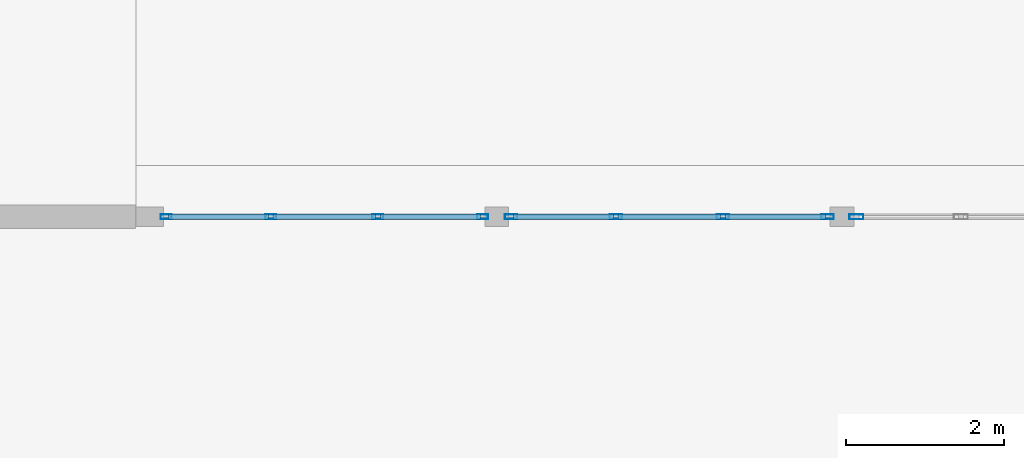
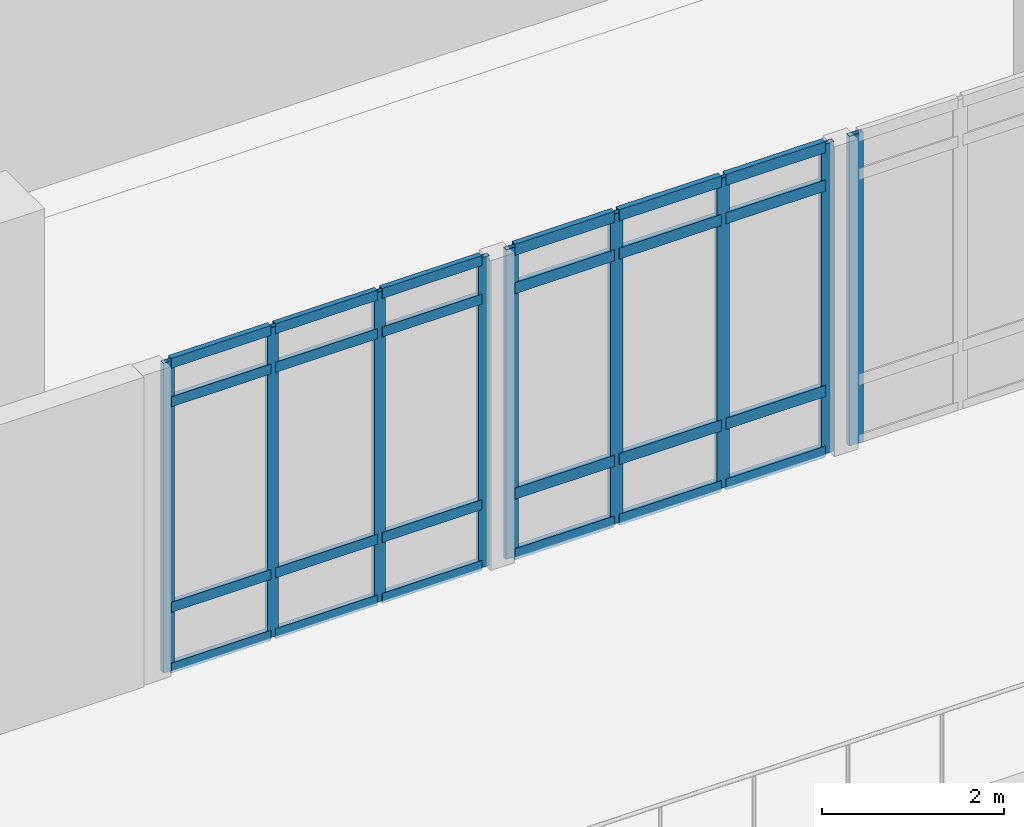
# One storey, part 21 of 55: 33 members, 3 elements without a shape of their own.
"""IFC4 building model written with IfcOpenShell, lengths in metres."""

from ifc_helpers import new_model, si_unit, direction, frame, origin, origin_2d, place, context, subcontext, project, spatial, hollow_rectangle, extrude, material, layer, layer_set, material_profile, profile_set, type_object, element, aggregate, save


model = new_model("IFC4")

# Units and contexts
model_context = context("Model", 3, precision=1e-05, world=origin(), true_north=direction((0.0, 1.0)))
body_context = subcontext(model_context, "Body", "Model", "MODEL_VIEW")
ifc_project = project(units=[si_unit("LENGTHUNIT", "METRE"), si_unit("AREAUNIT", "SQUARE_METRE"), si_unit("VOLUMEUNIT", "CUBIC_METRE"), si_unit("PLANEANGLEUNIT", "RADIAN"), si_unit("MASSUNIT", "GRAM", prefix="KILO")], contexts=[model_context])

# Site, building, storey
site_placement = place(None, origin())
site = spatial("IfcSite", under=ifc_project, at=site_placement, CompositionType="ELEMENT")
building_placement = place(site_placement, origin())
building = spatial("IfcBuilding", under=site, at=building_placement, Name="Fikremerkos Civic Library", CompositionType="ELEMENT")
storey_placement = place(building_placement, frame((0.0, 0.0, 18.89990234375)))
storey = spatial("IfcBuildingStorey", under=building, at=storey_placement, Name="L04", CompositionType="ELEMENT", Elevation=18.89990234375)

# Curtain wall, member
ifc_material = material(Name="Anodized aluminium Frame", Category="aluminium")
ifc_layer_1 = layer(ifc_material, 0.159912109375, Name="Anodized aluminium Frame")
ifc_layer_set_1 = layer_set([ifc_layer_1], Name="Anodized aluminium Frame")
curtain_wall_type_1 = type_object("IfcCurtainWallType", Name="Unitised curtain wall CW-01 3600x3600", PredefinedType="USERDEFINED", material=ifc_layer_set_1)
curtain_wall_1_placement = place(storey_placement, origin())
curtain_wall_1 = element("IfcCurtainWall", 1, at=curtain_wall_1_placement, inside=storey, type_object=curtain_wall_type_1, Name="Unitised curtain wall CW-01 L04 #217", ObjectType="UNITISED CURTAIN WALL", PredefinedType="USERDEFINED")
ifc_material_profile_1 = material_profile(ifc_material, hollow_rectangle(XDim=0.06494140625, YDim=0.179931640625, WallThickness=0.00439453125, at=origin_2d()), Name="ALU 180x65x4.5")
ifc_profile_set_1 = profile_set([ifc_material_profile_1], Name="Anodized aluminium Frame")
member_type_1 = type_object("IfcMemberType", Name="Curtain mullion CWM-01 ALU 180x65x4.5", PredefinedType="MULLION", material=ifc_profile_set_1)
member_1_placement = place(storey_placement, frame((95.815185546875, 8.800048828125, 0.0), z_axis=(0.0, 0.0, 1.0), x_axis=(0.0, -1.0, 0.0)))
member_1 = element("IfcMember", 2, at=member_1_placement, type_object=member_type_1, Name="CW-01 mullion 4", PredefinedType="MULLION", context=body_context, shape_type="SweptSolid", body=[
    extrude(hollow_rectangle(XDim=0.06494140625, YDim=0.179931640625, WallThickness=0.00439453125, at=origin_2d()), origin(), (0.0, 0.0, 1.0), 4.16015625),
])
aggregate(curtain_wall_1, [member_1])

# Curtain wall, members
ifc_layer_2 = layer(ifc_material, 0.159912109375, Name="Anodized aluminium Frame")
ifc_layer_set_2 = layer_set([ifc_layer_2], Name="Anodized aluminium Frame")
curtain_wall_type_2 = type_object("IfcCurtainWallType", Name="Unitised curtain wall CW-02 3900x3600", PredefinedType="USERDEFINED", material=ifc_layer_set_2)
curtain_wall_2_placement = place(storey_placement, origin())
curtain_wall_2 = element("IfcCurtainWall", 3, at=curtain_wall_2_placement, inside=storey, type_object=curtain_wall_type_2, Name="Unitised curtain wall CW-02 L04 #218", ObjectType="UNITISED CURTAIN WALL", PredefinedType="USERDEFINED")
ifc_material_profile_2 = material_profile(ifc_material, hollow_rectangle(XDim=0.06005859375, YDim=0.159912109375, WallThickness=0.00390625, at=origin_2d()), Name="ALU 160x60x4")
ifc_profile_set_2 = profile_set([ifc_material_profile_2], Name="Anodized aluminium Frame")
member_type_2 = type_object("IfcMemberType", Name="Curtain mullion CWM-02 ALU 160x60x4", PredefinedType="MULLION", material=ifc_profile_set_2)
member_2_placement = place(storey_placement, frame((95.45263671875, 8.800048828125, 0.0), z_axis=(0.0, 0.0, 1.0), x_axis=(0.0, -1.0, 0.0)))
member_2 = element("IfcMember", 4, at=member_2_placement, type_object=member_type_2, Name="CW-02 mullion 1", PredefinedType="MULLION", context=body_context, shape_type="SweptSolid", body=[
    extrude(hollow_rectangle(XDim=0.06005859375, YDim=0.159912109375, WallThickness=0.00390625, at=origin_2d()), origin(), (0.0, 0.0, 1.0), 4.16015625),
])
member_3_placement = place(storey_placement, frame((94.12744140625, 8.800048828125, 0.0), z_axis=(0.0, 0.0, 1.0), x_axis=(0.0, -1.0, 0.0)))
member_3 = element("IfcMember", 5, at=member_3_placement, type_object=member_type_2, Name="CW-02 mullion 2", PredefinedType="MULLION", context=body_context, shape_type="SweptSolid", body=[
    extrude(hollow_rectangle(XDim=0.06005859375, YDim=0.159912109375, WallThickness=0.00390625, at=origin_2d()), origin(), (0.0, 0.0, 1.0), 4.16015625),
])
member_4_placement = place(storey_placement, frame((92.7724609375, 8.800048828125, 0.0), z_axis=(0.0, 0.0, 1.0), x_axis=(0.0, -1.0, 0.0)))
member_4 = element("IfcMember", 6, at=member_4_placement, type_object=member_type_2, Name="CW-02 mullion 3", PredefinedType="MULLION", context=body_context, shape_type="SweptSolid", body=[
    extrude(hollow_rectangle(XDim=0.06005859375, YDim=0.159912109375, WallThickness=0.00390625, at=origin_2d()), origin(), (0.0, 0.0, 1.0), 4.16015625),
])
member_5_placement = place(storey_placement, frame((91.447265625, 8.800048828125, 0.0), z_axis=(0.0, 0.0, 1.0), x_axis=(0.0, -1.0, 0.0)))
member_5 = element("IfcMember", 7, at=member_5_placement, type_object=member_type_2, Name="CW-02 mullion 4", PredefinedType="MULLION", context=body_context, shape_type="SweptSolid", body=[
    extrude(hollow_rectangle(XDim=0.06005859375, YDim=0.159912109375, WallThickness=0.00390625, at=origin_2d()), origin(), (0.0, 0.0, 1.0), 4.16015625),
])

ifc_layer_3 = layer(ifc_material, 0.159912109375, Name="Anodized aluminium Frame")
ifc_layer_set_3 = layer_set([ifc_layer_3], Name="Anodized aluminium Frame")
curtain_wall_type_3 = type_object("IfcCurtainWallType", Name="Unitised curtain wall CW-03 4100x3600", PredefinedType="USERDEFINED", material=ifc_layer_set_3)
curtain_wall_3_placement = place(storey_placement, origin())
curtain_wall_3 = element("IfcCurtainWall", 8, at=curtain_wall_3_placement, inside=storey, type_object=curtain_wall_type_3, Name="Unitised curtain wall CW-03 L04 #219", ObjectType="UNITISED CURTAIN WALL", PredefinedType="USERDEFINED")
ifc_material_profile_3 = material_profile(ifc_material, hollow_rectangle(XDim=0.06005859375, YDim=0.139892578125, WallThickness=0.00390625, at=origin_2d()), Name="ALU 140x60x4")
ifc_profile_set_3 = profile_set([ifc_material_profile_3], Name="Anodized aluminium Frame")
member_type_3 = type_object("IfcMemberType", Name="Curtain mullion CWM-03 ALU 140x60x4", PredefinedType="MULLION", material=ifc_profile_set_3)
member_6_placement = place(storey_placement, frame((91.08740234375, 8.800048828125, 0.0), z_axis=(0.0, 0.0, 1.0), x_axis=(0.0, -1.0, 0.0)))
member_6 = element("IfcMember", 9, at=member_6_placement, type_object=member_type_3, Name="CW-03 mullion 1", PredefinedType="MULLION", context=body_context, shape_type="SweptSolid", body=[
    extrude(hollow_rectangle(XDim=0.06005859375, YDim=0.139892578125, WallThickness=0.00390625, at=origin_2d()), origin(), (0.0, 0.0, 1.0), 4.16015625),
])
member_7_placement = place(storey_placement, frame((89.76220703125, 8.800048828125, 0.0), z_axis=(0.0, 0.0, 1.0), x_axis=(0.0, -1.0, 0.0)))
member_7 = element("IfcMember", 10, at=member_7_placement, type_object=member_type_3, Name="CW-03 mullion 2", PredefinedType="MULLION", context=body_context, shape_type="SweptSolid", body=[
    extrude(hollow_rectangle(XDim=0.06005859375, YDim=0.139892578125, WallThickness=0.00390625, at=origin_2d()), origin(), (0.0, 0.0, 1.0), 4.16015625),
])
member_8_placement = place(storey_placement, frame((88.4072265625, 8.800048828125, 0.0), z_axis=(0.0, 0.0, 1.0), x_axis=(0.0, -1.0, 0.0)))
member_8 = element("IfcMember", 11, at=member_8_placement, type_object=member_type_3, Name="CW-03 mullion 3", PredefinedType="MULLION", context=body_context, shape_type="SweptSolid", body=[
    extrude(hollow_rectangle(XDim=0.06005859375, YDim=0.139892578125, WallThickness=0.00390625, at=origin_2d()), origin(), (0.0, 0.0, 1.0), 4.16015625),
])
member_9_placement = place(storey_placement, frame((87.08203125, 8.800048828125, 0.0), z_axis=(0.0, 0.0, 1.0), x_axis=(0.0, -1.0, 0.0)))
member_9 = element("IfcMember", 12, at=member_9_placement, type_object=member_type_3, Name="CW-03 mullion 4", PredefinedType="MULLION", context=body_context, shape_type="SweptSolid", body=[
    extrude(hollow_rectangle(XDim=0.06005859375, YDim=0.139892578125, WallThickness=0.00390625, at=origin_2d()), origin(), (0.0, 0.0, 1.0), 4.16015625),
])

# Member
ifc_material_profile_4 = material_profile(ifc_material, hollow_rectangle(XDim=0.070068359375, YDim=0.14990234375, WallThickness=0.00439453125, at=origin_2d()), Name="ALU 150x70x4.5")
ifc_profile_set_4 = profile_set([ifc_material_profile_4], Name="Anodized aluminium Frame")
member_type_4 = type_object("IfcMemberType", Name="Curtain transom CWT-01 ALU 150x70x4.5", PredefinedType="USERDEFINED", material=ifc_profile_set_4)
member_10_placement = place(storey_placement, frame((95.422607421875, 8.800048828125, 0.03515625), z_axis=(-1.0, 0.0, 0.0), x_axis=(0.0, -1.0, 0.0)))
member_10 = element("IfcMember", 13, at=member_10_placement, type_object=member_type_4, Name="CW-02 transom 1.1", ObjectType="TRANSOM", PredefinedType="USERDEFINED", context=body_context, shape_type="SweptSolid", body=[
    extrude(hollow_rectangle(XDim=0.070068359375, YDim=0.14990234375, WallThickness=0.00439453125, at=origin_2d()), origin(), (0.0, 0.0, 1.0), 1.26513671875),
])

member_11_placement = place(storey_placement, frame((95.422607421875, 8.800048828125, 0.85009765625), z_axis=(-1.0, 0.0, 0.0), x_axis=(0.0, -1.0, 0.0)))
member_11 = element("IfcMember", 14, at=member_11_placement, type_object=member_type_4, Name="CW-02 transom 1.2", ObjectType="TRANSOM", PredefinedType="USERDEFINED", context=body_context, shape_type="SweptSolid", body=[
    extrude(hollow_rectangle(XDim=0.070068359375, YDim=0.14990234375, WallThickness=0.00439453125, at=origin_2d()), origin(), (0.0, 0.0, 1.0), 1.26513671875),
])

member_12_placement = place(storey_placement, frame((95.422607421875, 8.800048828125, 3.610107421875), z_axis=(-1.0, 0.0, 0.0), x_axis=(0.0, -1.0, 0.0)))
member_12 = element("IfcMember", 15, at=member_12_placement, type_object=member_type_4, Name="CW-02 transom 1.3", ObjectType="TRANSOM", PredefinedType="USERDEFINED", context=body_context, shape_type="SweptSolid", body=[
    extrude(hollow_rectangle(XDim=0.070068359375, YDim=0.14990234375, WallThickness=0.00439453125, at=origin_2d()), origin(), (0.0, 0.0, 1.0), 1.26513671875),
])

member_13_placement = place(storey_placement, frame((95.422607421875, 8.800048828125, 4.125), z_axis=(-1.0, 0.0, 0.0), x_axis=(0.0, -1.0, 0.0)))
member_13 = element("IfcMember", 16, at=member_13_placement, type_object=member_type_4, Name="CW-02 transom 1.4", ObjectType="TRANSOM", PredefinedType="USERDEFINED", context=body_context, shape_type="SweptSolid", body=[
    extrude(hollow_rectangle(XDim=0.070068359375, YDim=0.14990234375, WallThickness=0.00439453125, at=origin_2d()), origin(), (0.0, 0.0, 1.0), 1.26513671875),
])

member_14_placement = place(storey_placement, frame((94.09765625, 8.800048828125, 0.03515625), z_axis=(-1.0, 0.0, 0.0), x_axis=(0.0, -1.0, 0.0)))
member_14 = element("IfcMember", 17, at=member_14_placement, type_object=member_type_4, Name="CW-02 transom 2.1", ObjectType="TRANSOM", PredefinedType="USERDEFINED", context=body_context, shape_type="SweptSolid", body=[
    extrude(hollow_rectangle(XDim=0.070068359375, YDim=0.14990234375, WallThickness=0.00439453125, at=origin_2d()), origin(), (0.0, 0.0, 1.0), 1.295166015625),
])

member_15_placement = place(storey_placement, frame((94.09765625, 8.800048828125, 0.85009765625), z_axis=(-1.0, 0.0, 0.0), x_axis=(0.0, -1.0, 0.0)))
member_15 = element("IfcMember", 18, at=member_15_placement, type_object=member_type_4, Name="CW-02 transom 2.2", ObjectType="TRANSOM", PredefinedType="USERDEFINED", context=body_context, shape_type="SweptSolid", body=[
    extrude(hollow_rectangle(XDim=0.070068359375, YDim=0.14990234375, WallThickness=0.00439453125, at=origin_2d()), origin(), (0.0, 0.0, 1.0), 1.295166015625),
])

member_16_placement = place(storey_placement, frame((94.09765625, 8.800048828125, 3.610107421875), z_axis=(-1.0, 0.0, 0.0), x_axis=(0.0, -1.0, 0.0)))
member_16 = element("IfcMember", 19, at=member_16_placement, type_object=member_type_4, Name="CW-02 transom 2.3", ObjectType="TRANSOM", PredefinedType="USERDEFINED", context=body_context, shape_type="SweptSolid", body=[
    extrude(hollow_rectangle(XDim=0.070068359375, YDim=0.14990234375, WallThickness=0.00439453125, at=origin_2d()), origin(), (0.0, 0.0, 1.0), 1.295166015625),
])

member_17_placement = place(storey_placement, frame((94.09765625, 8.800048828125, 4.125), z_axis=(-1.0, 0.0, 0.0), x_axis=(0.0, -1.0, 0.0)))
member_17 = element("IfcMember", 20, at=member_17_placement, type_object=member_type_4, Name="CW-02 transom 2.4", ObjectType="TRANSOM", PredefinedType="USERDEFINED", context=body_context, shape_type="SweptSolid", body=[
    extrude(hollow_rectangle(XDim=0.070068359375, YDim=0.14990234375, WallThickness=0.00439453125, at=origin_2d()), origin(), (0.0, 0.0, 1.0), 1.295166015625),
])

member_18_placement = place(storey_placement, frame((92.742431640625, 8.800048828125, 0.03515625), z_axis=(-1.0, 0.0, 0.0), x_axis=(0.0, -1.0, 0.0)))
member_18 = element("IfcMember", 21, at=member_18_placement, type_object=member_type_4, Name="CW-02 transom 3.1", ObjectType="TRANSOM", PredefinedType="USERDEFINED", context=body_context, shape_type="SweptSolid", body=[
    extrude(hollow_rectangle(XDim=0.070068359375, YDim=0.14990234375, WallThickness=0.00439453125, at=origin_2d()), origin(), (0.0, 0.0, 1.0), 1.26513671875),
])

member_19_placement = place(storey_placement, frame((92.742431640625, 8.800048828125, 0.85009765625), z_axis=(-1.0, 0.0, 0.0), x_axis=(0.0, -1.0, 0.0)))
member_19 = element("IfcMember", 22, at=member_19_placement, type_object=member_type_4, Name="CW-02 transom 3.2", ObjectType="TRANSOM", PredefinedType="USERDEFINED", context=body_context, shape_type="SweptSolid", body=[
    extrude(hollow_rectangle(XDim=0.070068359375, YDim=0.14990234375, WallThickness=0.00439453125, at=origin_2d()), origin(), (0.0, 0.0, 1.0), 1.26513671875),
])

member_20_placement = place(storey_placement, frame((92.742431640625, 8.800048828125, 3.610107421875), z_axis=(-1.0, 0.0, 0.0), x_axis=(0.0, -1.0, 0.0)))
member_20 = element("IfcMember", 23, at=member_20_placement, type_object=member_type_4, Name="CW-02 transom 3.3", ObjectType="TRANSOM", PredefinedType="USERDEFINED", context=body_context, shape_type="SweptSolid", body=[
    extrude(hollow_rectangle(XDim=0.070068359375, YDim=0.14990234375, WallThickness=0.00439453125, at=origin_2d()), origin(), (0.0, 0.0, 1.0), 1.26513671875),
])

member_21_placement = place(storey_placement, frame((92.742431640625, 8.800048828125, 4.125), z_axis=(-1.0, 0.0, 0.0), x_axis=(0.0, -1.0, 0.0)))
member_21 = element("IfcMember", 24, at=member_21_placement, type_object=member_type_4, Name="CW-02 transom 3.4", ObjectType="TRANSOM", PredefinedType="USERDEFINED", context=body_context, shape_type="SweptSolid", body=[
    extrude(hollow_rectangle(XDim=0.070068359375, YDim=0.14990234375, WallThickness=0.00439453125, at=origin_2d()), origin(), (0.0, 0.0, 1.0), 1.26513671875),
])

aggregate(curtain_wall_2, [member_2, member_3, member_4, member_5, member_10, member_11, member_12, member_13, member_14, member_15, member_16, member_17, member_18, member_19, member_20, member_21])

ifc_material_profile_5 = material_profile(ifc_material, hollow_rectangle(XDim=0.06494140625, YDim=0.135009765625, WallThickness=0.00439453125, at=origin_2d()), Name="ALU 135x65x4.5")
ifc_profile_set_5 = profile_set([ifc_material_profile_5], Name="Anodized aluminium Frame")
member_type_5 = type_object("IfcMemberType", Name="Curtain transom CWT-02 ALU 135x65x4.5", PredefinedType="USERDEFINED", material=ifc_profile_set_5)
member_22_placement = place(storey_placement, frame((91.057373046875, 8.800048828125, 0.03271484375), z_axis=(-1.0, 0.0, 0.0), x_axis=(0.0, -1.0, 0.0)))
member_22 = element("IfcMember", 25, at=member_22_placement, type_object=member_type_5, Name="CW-03 transom 1.1", ObjectType="TRANSOM", PredefinedType="USERDEFINED", context=body_context, shape_type="SweptSolid", body=[
    extrude(hollow_rectangle(XDim=0.06494140625, YDim=0.135009765625, WallThickness=0.00439453125, at=origin_2d()), origin(), (0.0, 0.0, 1.0), 1.26513671875),
])

member_23_placement = place(storey_placement, frame((91.057373046875, 8.800048828125, 0.85009765625), z_axis=(-1.0, 0.0, 0.0), x_axis=(0.0, -1.0, 0.0)))
member_23 = element("IfcMember", 26, at=member_23_placement, type_object=member_type_5, Name="CW-03 transom 1.2", ObjectType="TRANSOM", PredefinedType="USERDEFINED", context=body_context, shape_type="SweptSolid", body=[
    extrude(hollow_rectangle(XDim=0.06494140625, YDim=0.135009765625, WallThickness=0.00439453125, at=origin_2d()), origin(), (0.0, 0.0, 1.0), 1.26513671875),
])

member_24_placement = place(storey_placement, frame((91.057373046875, 8.800048828125, 3.610107421875), z_axis=(-1.0, 0.0, 0.0), x_axis=(0.0, -1.0, 0.0)))
member_24 = element("IfcMember", 27, at=member_24_placement, type_object=member_type_5, Name="CW-03 transom 1.3", ObjectType="TRANSOM", PredefinedType="USERDEFINED", context=body_context, shape_type="SweptSolid", body=[
    extrude(hollow_rectangle(XDim=0.06494140625, YDim=0.135009765625, WallThickness=0.00439453125, at=origin_2d()), origin(), (0.0, 0.0, 1.0), 1.26513671875),
])

member_25_placement = place(storey_placement, frame((91.057373046875, 8.800048828125, 4.127685546875), z_axis=(-1.0, 0.0, 0.0), x_axis=(0.0, -1.0, 0.0)))
member_25 = element("IfcMember", 28, at=member_25_placement, type_object=member_type_5, Name="CW-03 transom 1.4", ObjectType="TRANSOM", PredefinedType="USERDEFINED", context=body_context, shape_type="SweptSolid", body=[
    extrude(hollow_rectangle(XDim=0.06494140625, YDim=0.135009765625, WallThickness=0.00439453125, at=origin_2d()), origin(), (0.0, 0.0, 1.0), 1.26513671875),
])

member_26_placement = place(storey_placement, frame((89.732177734375, 8.800048828125, 0.03271484375), z_axis=(-1.0, 0.0, 0.0), x_axis=(0.0, -1.0, 0.0)))
member_26 = element("IfcMember", 29, at=member_26_placement, type_object=member_type_5, Name="CW-03 transom 2.1", ObjectType="TRANSOM", PredefinedType="USERDEFINED", context=body_context, shape_type="SweptSolid", body=[
    extrude(hollow_rectangle(XDim=0.06494140625, YDim=0.135009765625, WallThickness=0.00439453125, at=origin_2d()), origin(), (0.0, 0.0, 1.0), 1.295166015625),
])

member_27_placement = place(storey_placement, frame((89.732177734375, 8.800048828125, 0.85009765625), z_axis=(-1.0, 0.0, 0.0), x_axis=(0.0, -1.0, 0.0)))
member_27 = element("IfcMember", 30, at=member_27_placement, type_object=member_type_5, Name="CW-03 transom 2.2", ObjectType="TRANSOM", PredefinedType="USERDEFINED", context=body_context, shape_type="SweptSolid", body=[
    extrude(hollow_rectangle(XDim=0.06494140625, YDim=0.135009765625, WallThickness=0.00439453125, at=origin_2d()), origin(), (0.0, 0.0, 1.0), 1.295166015625),
])

member_28_placement = place(storey_placement, frame((89.732177734375, 8.800048828125, 3.610107421875), z_axis=(-1.0, 0.0, 0.0), x_axis=(0.0, -1.0, 0.0)))
member_28 = element("IfcMember", 31, at=member_28_placement, type_object=member_type_5, Name="CW-03 transom 2.3", ObjectType="TRANSOM", PredefinedType="USERDEFINED", context=body_context, shape_type="SweptSolid", body=[
    extrude(hollow_rectangle(XDim=0.06494140625, YDim=0.135009765625, WallThickness=0.00439453125, at=origin_2d()), origin(), (0.0, 0.0, 1.0), 1.295166015625),
])

member_29_placement = place(storey_placement, frame((89.732177734375, 8.800048828125, 4.127685546875), z_axis=(-1.0, 0.0, 0.0), x_axis=(0.0, -1.0, 0.0)))
member_29 = element("IfcMember", 32, at=member_29_placement, type_object=member_type_5, Name="CW-03 transom 2.4", ObjectType="TRANSOM", PredefinedType="USERDEFINED", context=body_context, shape_type="SweptSolid", body=[
    extrude(hollow_rectangle(XDim=0.06494140625, YDim=0.135009765625, WallThickness=0.00439453125, at=origin_2d()), origin(), (0.0, 0.0, 1.0), 1.295166015625),
])

member_30_placement = place(storey_placement, frame((88.377197265625, 8.800048828125, 0.03271484375), z_axis=(-1.0, 0.0, 0.0), x_axis=(0.0, -1.0, 0.0)))
member_30 = element("IfcMember", 33, at=member_30_placement, type_object=member_type_5, Name="CW-03 transom 3.1", ObjectType="TRANSOM", PredefinedType="USERDEFINED", context=body_context, shape_type="SweptSolid", body=[
    extrude(hollow_rectangle(XDim=0.06494140625, YDim=0.135009765625, WallThickness=0.00439453125, at=origin_2d()), origin(), (0.0, 0.0, 1.0), 1.26513671875),
])

member_31_placement = place(storey_placement, frame((88.377197265625, 8.800048828125, 0.85009765625), z_axis=(-1.0, 0.0, 0.0), x_axis=(0.0, -1.0, 0.0)))
member_31 = element("IfcMember", 34, at=member_31_placement, type_object=member_type_5, Name="CW-03 transom 3.2", ObjectType="TRANSOM", PredefinedType="USERDEFINED", context=body_context, shape_type="SweptSolid", body=[
    extrude(hollow_rectangle(XDim=0.06494140625, YDim=0.135009765625, WallThickness=0.00439453125, at=origin_2d()), origin(), (0.0, 0.0, 1.0), 1.26513671875),
])

member_32_placement = place(storey_placement, frame((88.377197265625, 8.800048828125, 3.610107421875), z_axis=(-1.0, 0.0, 0.0), x_axis=(0.0, -1.0, 0.0)))
member_32 = element("IfcMember", 35, at=member_32_placement, type_object=member_type_5, Name="CW-03 transom 3.3", ObjectType="TRANSOM", PredefinedType="USERDEFINED", context=body_context, shape_type="SweptSolid", body=[
    extrude(hollow_rectangle(XDim=0.06494140625, YDim=0.135009765625, WallThickness=0.00439453125, at=origin_2d()), origin(), (0.0, 0.0, 1.0), 1.26513671875),
])

member_33_placement = place(storey_placement, frame((88.377197265625, 8.800048828125, 4.127685546875), z_axis=(-1.0, 0.0, 0.0), x_axis=(0.0, -1.0, 0.0)))
member_33 = element("IfcMember", 36, at=member_33_placement, type_object=member_type_5, Name="CW-03 transom 3.4", ObjectType="TRANSOM", PredefinedType="USERDEFINED", context=body_context, shape_type="SweptSolid", body=[
    extrude(hollow_rectangle(XDim=0.06494140625, YDim=0.135009765625, WallThickness=0.00439453125, at=origin_2d()), origin(), (0.0, 0.0, 1.0), 1.26513671875),
])

aggregate(curtain_wall_3, [member_6, member_7, member_8, member_9, member_22, member_23, member_24, member_25, member_26, member_27, member_28, member_29, member_30, member_31, member_32, member_33])

save(model, "model.ifc")
